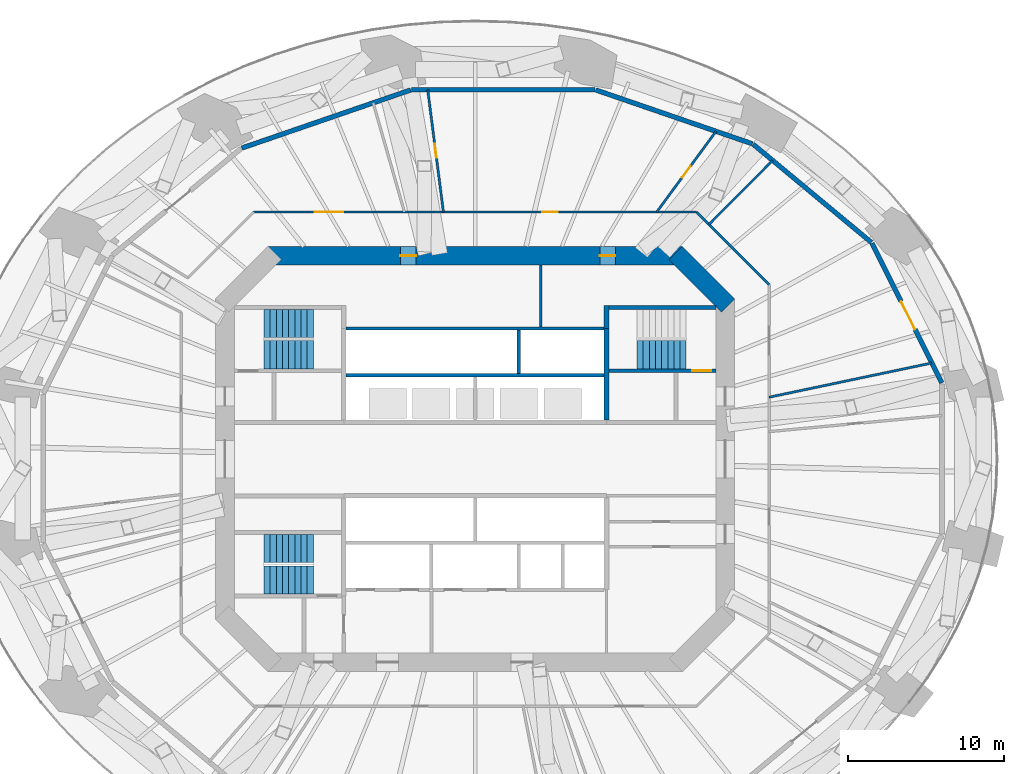
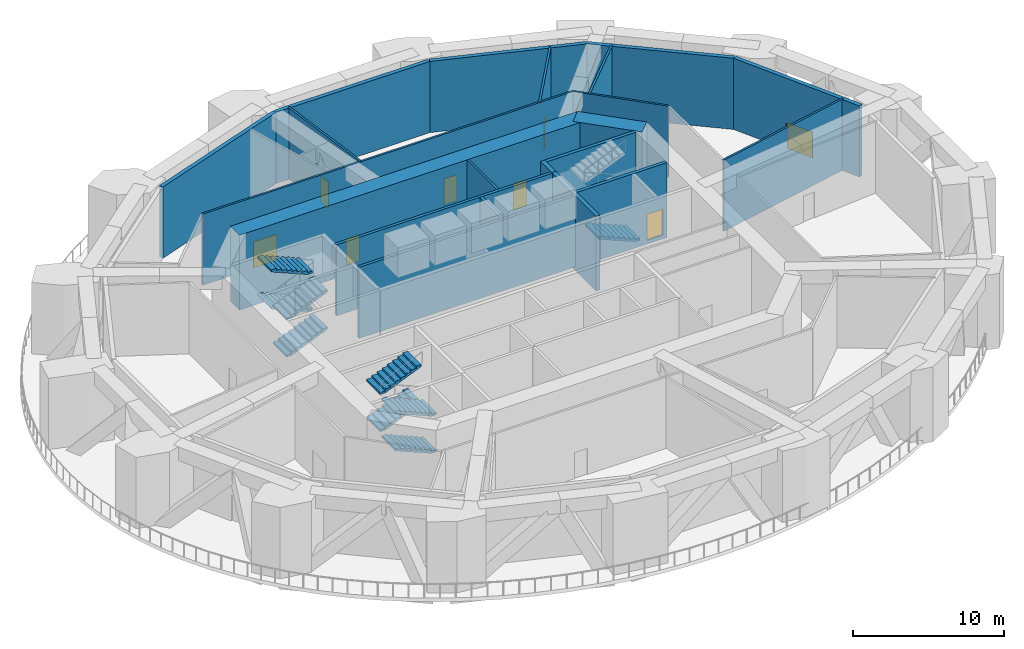
# One storey, part 7 of 12: 21 walls, 9 stair flights, 8 doors, 8 openings, 3 elements without a shape of their own.
"""IFC4 building model written with IfcOpenShell, lengths in metres."""

import ifcopenshell
import ifcopenshell.guid

model = None  # the IFC model being written
_history = None  # IfcOwnerHistory: only IFC2X3 demands one
_inside = {}  # id of a spatial element -> (the spatial element, [elements in it])
_under = {}  # id of a project, library or spatial element -> (it, [spatial elements below it])
_declared = {}  # id of a project -> (the project, [libraries it declares])
_typed = {}  # id of a type object -> (the type object, [elements of that type])
_made_of = {}  # id of a material, layer set ... -> (it, [elements and type objects made of it])


def new_model(schema):
    """Start an empty IFC model of exactly this schema.

    Asked for "IFC4X3", IfcOpenShell would pick the latest addendum, in which some entities
    have other attributes; the version numbers below select the first issue.
    IFC2X3 requires an IfcOwnerHistory on every rooted entity: one is made here for all.
    """
    global model, _history
    if schema == "IFC4X3":
        model = ifcopenshell.file(schema_version=(4, 3, 0, 0))
    else:
        model = ifcopenshell.file(schema=schema)
    _inside.clear()
    _under.clear()
    _declared.clear()
    _typed.clear()
    _made_of.clear()
    _history = None
    if model.schema == "IFC2X3":
        org = make("IfcOrganization", Name="unknown")
        user = make(
            "IfcPersonAndOrganization",
            ThePerson=make("IfcPerson", FamilyName="unknown"),
            TheOrganization=org,
        )
        app = make(
            "IfcApplication",
            ApplicationDeveloper=org,
            Version="unknown",
            ApplicationFullName="unknown",
            ApplicationIdentifier="unknown",
        )
        _history = make(
            "IfcOwnerHistory",
            OwningUser=user,
            OwningApplication=app,
            ChangeAction="ADDED",
            CreationDate=0,
        )
    return model


def make(cls, **values):
    """One entity of the class cls with the attributes given. An attribute that is None is left unset."""
    return model.create_entity(
        cls, **{name: value for name, value in values.items() if value is not None}
    )


def rooted(cls, **values):
    """An entity with a GlobalId (a new one), such as an element, a storey or a relation."""
    return make(cls, GlobalId=ifcopenshell.guid.new(), OwnerHistory=_history, **values)


def si_unit(unit_type, name, prefix=None):
    """IfcSIUnit, for example si_unit("LENGTHUNIT", "METRE", prefix="MILLI")."""
    return make("IfcSIUnit", UnitType=unit_type, Prefix=prefix, Name=name)


def assignment(units):
    """IfcUnitAssignment: the units of a project."""
    return None if units is None else make("IfcUnitAssignment", Units=units)


def point(xyz):
    """IfcCartesianPoint."""
    return None if xyz is None else make("IfcCartesianPoint", Coordinates=xyz)


def direction(xyz):
    """IfcDirection."""
    return None if xyz is None else make("IfcDirection", DirectionRatios=xyz)


def frame(location, z_axis=None, x_axis=None):
    """IfcAxis2Placement3D, a coordinate frame: its origin and axes. An axis left out is left unset."""
    return make(
        "IfcAxis2Placement3D",
        Location=point(location),
        Axis=direction(z_axis),
        RefDirection=direction(x_axis),
    )


def frame_2d(location, x_axis=None):
    """IfcAxis2Placement2D, a coordinate frame in the plane: its origin and x axis."""
    return make(
        "IfcAxis2Placement2D", Location=point(location), RefDirection=direction(x_axis)
    )


def origin():
    """The frame at (0, 0, 0) with its axes left unset."""
    return frame((0.0, 0.0, 0.0))


def place(relative_to, where):
    """IfcLocalPlacement: puts the frame where relative to a parent placement (None: the world)."""
    return make(
        "IfcLocalPlacement", PlacementRelTo=relative_to, RelativePlacement=where
    )


def context(
    kind, dimensions, precision=None, world=None, true_north=None, identifier=None
):
    """IfcGeometricRepresentationContext, for example the 3D "Model" context."""
    return make(
        "IfcGeometricRepresentationContext",
        ContextIdentifier=identifier,
        ContextType=kind,
        CoordinateSpaceDimension=dimensions,
        Precision=precision,
        WorldCoordinateSystem=world,
        TrueNorth=true_north,
    )


def subcontext(parent, identifier, kind, view, scale=None):
    """IfcGeometricRepresentationSubContext, for example "Body" below "Model"."""
    return make(
        "IfcGeometricRepresentationSubContext",
        ContextIdentifier=identifier,
        ContextType=kind,
        ParentContext=parent,
        TargetScale=scale,
        TargetView=view,
    )


def project(units=None, contexts=None):
    """IfcProject with its units and contexts."""
    return rooted(
        "IfcProject",
        Name="project",
        RepresentationContexts=contexts,
        UnitsInContext=assignment(units),
    )


def spatial(cls, under=None, at=None, **own):
    """A site, building, storey or space (cls), placed at a placement, below another one or the project."""
    s = rooted(cls, ObjectPlacement=at, **own)
    if under is not None:
        _under.setdefault(under.id(), (under, []))[1].append(s)
    return s


def polyline(points):
    """IfcPolyline through the points."""
    return make("IfcPolyline", Points=[point(p) for p in points])


def profile(cls, at=None, kind="AREA", **sizes):
    """A parametric profile (cls). Its sizes go by their IFC names, for example OverallWidth=200.0."""
    return make(cls, ProfileType=kind, Position=at, **sizes)


def rectangle(**sizes):
    """IfcRectangleProfileDef."""
    return profile("IfcRectangleProfileDef", **sizes)


def outline(outer, holes=None, kind="AREA"):
    """IfcArbitraryClosedProfileDef: a profile drawn as a closed curve; with holes, ...WithVoids."""
    if holes is None:
        return make("IfcArbitraryClosedProfileDef", ProfileType=kind, OuterCurve=outer)
    return make(
        "IfcArbitraryProfileDefWithVoids",
        ProfileType=kind,
        OuterCurve=outer,
        InnerCurves=holes,
    )


def extrude(swept, where, along, depth):
    """IfcExtrudedAreaSolid: the profile swept, set in the frame where, extruded along a direction by depth."""
    return make(
        "IfcExtrudedAreaSolid",
        SweptArea=swept,
        Position=where,
        ExtrudedDirection=direction(along),
        Depth=depth,
    )


def shape(context_of_items, identifier, shape_type, items):
    """IfcShapeRepresentation: the items that make up one representation, for example the "Body"."""
    return make(
        "IfcShapeRepresentation",
        ContextOfItems=context_of_items,
        RepresentationIdentifier=identifier,
        RepresentationType=shape_type,
        Items=items,
    )


def material(Name=None, Category=None):
    """IfcMaterial."""
    return make("IfcMaterial", Name=Name, Category=Category)


def layer(
    of_material, thickness, ventilated=None, Name=None, Category=None, Priority=None
):
    """IfcMaterialLayer: one layer of a wall or slab, of a material (None: an air gap)."""
    return make(
        "IfcMaterialLayer",
        Material=of_material,
        LayerThickness=thickness,
        IsVentilated=ventilated,
        Name=Name,
        Category=Category,
        Priority=Priority,
    )


def layer_set(layers, Name=None):
    """IfcMaterialLayerSet."""
    return make("IfcMaterialLayerSet", MaterialLayers=layers, LayerSetName=Name)


def made_of(thing, what):
    """Note that an element or type object is made of a material, layer set ...; save() writes the relation."""
    if what is not None:
        _made_of.setdefault(what.id(), (what, []))[1].append(thing)
    return thing


def type_object(cls, material=None, **own):
    """A type object (cls), such as IfcWallType, which elements share."""
    return made_of(rooted(cls, **own), material)


def element(
    cls,
    number,
    at=None,
    inside=None,
    cuts=None,
    type_object=None,
    material=None,
    context=None,
    identifier="Body",
    shape_type=None,
    held_by="IfcProductDefinitionShape",
    body=None,
    shapes=None,
    **own,
):
    """One element of the class cls, such as IfcWall. Its Tag is "e" and its number.

    at: its placement. inside: the storey or other place that contains it. cuts: it is an
    opening in that element (IfcRelVoidsElement). A single representation is given by context,
    identifier, shape_type and body (its items); several are given by shapes. held_by: the class
    of the entity that holds the representations. save() writes the other relations.
    """
    e = rooted(cls, Tag="e%d" % number, ObjectPlacement=at, **own)
    if body is not None:
        shapes = [shape(context, identifier, shape_type, body)]
    if shapes is not None:
        e.Representation = make(held_by, Representations=shapes)
    if inside is not None:
        _inside.setdefault(inside.id(), (inside, []))[1].append(e)
    if cuts is not None:
        rooted(
            "IfcRelVoidsElement", RelatingBuildingElement=cuts, RelatedOpeningElement=e
        )
    if type_object is not None:
        _typed.setdefault(type_object.id(), (type_object, []))[1].append(e)
    return made_of(e, material)


def fill(opening, filler):
    """IfcRelFillsElement: the door or window that sits in an opening."""
    return rooted(
        "IfcRelFillsElement",
        RelatingOpeningElement=opening,
        RelatedBuildingElement=filler,
    )


def aggregate(whole, parts):
    """IfcRelAggregates: a whole, such as a stair, and the parts it consists of."""
    return rooted("IfcRelAggregates", RelatingObject=whole, RelatedObjects=parts)


def save(model, path):
    """Write the relations noted so far, then the file.

    IfcRelAggregates (storeys below a building ...), IfcRelContainedInSpatialStructure (elements
    in a storey), IfcRelDefinesByType, IfcRelAssociatesMaterial and IfcRelDeclares: one each for
    every whole, place, type object, material and project.
    """
    for whole, parts in _under.values():
        aggregate(whole, parts)
    for where, things in _inside.values():
        rooted(
            "IfcRelContainedInSpatialStructure",
            RelatedElements=things,
            RelatingStructure=where,
        )
    for kind, things in _typed.values():
        rooted("IfcRelDefinesByType", RelatedObjects=things, RelatingType=kind)
    for what, things in _made_of.values():
        rooted("IfcRelAssociatesMaterial", RelatedObjects=things, RelatingMaterial=what)
    for by, libraries in _declared.values():
        rooted("IfcRelDeclares", RelatingContext=by, RelatedDefinitions=libraries)
    model.write(path)


model = new_model("IFC4")

# Units and contexts
model_context = context("Model", 3, precision=1e-05, world=origin(), true_north=direction((0.0, 1.0)))
body_context = subcontext(model_context, "Body", "Model", "MODEL_VIEW")
ifc_project = project(units=[si_unit("LENGTHUNIT", "METRE"), si_unit("AREAUNIT", "SQUARE_METRE"), si_unit("VOLUMEUNIT", "CUBIC_METRE"), si_unit("PLANEANGLEUNIT", "RADIAN"), si_unit("MASSUNIT", "GRAM", prefix="KILO")], contexts=[model_context])

# Site, building, storey
site_placement = place(None, origin())
site = spatial("IfcSite", under=ifc_project, at=site_placement, CompositionType="ELEMENT")
building_placement = place(site_placement, origin())
building = spatial("IfcBuilding", under=site, at=building_placement, Name="Marenthal Gate Tower", CompositionType="ELEMENT")
storey_placement = place(building_placement, frame((0.0, 0.0, 149.64990234375)))
storey = spatial("IfcBuildingStorey", under=building, at=storey_placement, Name="L32", CompositionType="ELEMENT", Elevation=149.64990234375)

# Wall
ifc_material_1 = material(Name="Concrete 60 MPa", Category="concrete")
ifc_layer_1 = layer(ifc_material_1, 1.199951171875)
ifc_layer_set_1 = layer_set([ifc_layer_1], Name="Core shear wall 1200")
wall_type_1 = type_object("IfcWallType", Name="Core shear wall 1200", PredefinedType="SHEAR", material=ifc_layer_set_1)
wall_1_placement = place(storey_placement, frame((16.17578125, 9.82421875, -0.2998046875), z_axis=(0.0, 0.0, 1.0), x_axis=(-0.707106781187, 0.707106781187, 0.0)))
element("IfcWall", 1, at=wall_1_placement, inside=storey, type_object=wall_type_1, Name="Core wall 03", PredefinedType="SHEAR", context=body_context, shape_type="SweptSolid", body=[
    extrude(rectangle(XDim=4.73974609375, YDim=1.199951171875, at=frame_2d((2.369873046875, 0.0))), origin(), (0.0, 0.0, 1.0), 6.0498046875),
])

# Wall, openings, doors
wall_2_placement = place(storey_placement, frame((13.24853515625, 13.0, -0.2998046875), z_axis=(0.0, 0.0, 1.0), x_axis=(-1.0, 0.0, 0.0)))
wall_2 = element("IfcWall", 2, at=wall_2_placement, inside=storey, type_object=wall_type_1, Name="Core wall 04", PredefinedType="SHEAR", context=body_context, shape_type="SweptSolid", body=[
    extrude(rectangle(XDim=26.4970703125, YDim=1.199951171875, at=frame_2d((13.24853515625, 0.0))), origin(), (0.0, 0.0, 1.0), 6.0498046875),
])
opening_1_placement = place(wall_2_placement, frame((17.0244140625, 0.0, 0.300048828125)))
opening_1 = element("IfcOpeningElement", 3, at=opening_1_placement, cuts=wall_2, Name="Opening D005.01", PredefinedType="OPENING", context=body_context, shape_type="SweptSolid", body=[
    extrude(rectangle(XDim=1.0, YDim=2.10009765625, at=frame_2d((0.5, 1.050048828125))), frame((0.0, 0.60986328125, 0.0), z_axis=(0.0, -1.0, 0.0), x_axis=(1.0, 0.0, 0.0)), (0.0, 0.0, 1.0), 1.219970703125),
])
opening_2_placement = place(wall_2_placement, frame((4.2724609375, 0.0, 0.300048828125)))
opening_2 = element("IfcOpeningElement", 4, at=opening_2_placement, cuts=wall_2, Name="Opening D005.02", PredefinedType="OPENING", context=body_context, shape_type="SweptSolid", body=[
    extrude(rectangle(XDim=1.0, YDim=2.10009765625, at=frame_2d((0.5, 1.050048828125))), frame((0.0, 0.60986328125, 0.0), z_axis=(0.0, -1.0, 0.0), x_axis=(1.0, 0.0, 0.0)), (0.0, 0.0, 1.0), 1.219970703125),
])
ifc_material_2 = material(Name="Steel fire door", Category="steel")
door_type_1 = type_object("IfcDoorType", Name="Fire door FD 45 1000 x 2100", OperationType="NOTDEFINED", PredefinedType="DOOR", material=ifc_material_2)
door_1_placement = place(opening_1_placement, origin())
door_1 = element("IfcDoor", 5, at=door_1_placement, inside=storey, type_object=door_type_1, Name="Door D005.01", OperationType="SINGLE_SWING_RIGHT", OverallHeight=2.10009765625, OverallWidth=1.0, PredefinedType="DOOR", context=body_context, shape_type="SweptSolid", body=[
    extrude(rectangle(XDim=1.0, YDim=2.10009765625, at=frame_2d((0.5, 1.050048828125))), frame((0.0, 0.02490234375, 0.0), z_axis=(0.0, -1.0, 0.0), x_axis=(1.0, 0.0, 0.0)), (0.0, 0.0, 1.0), 0.050048828125),
])
fill(opening_1, door_1)
door_2_placement = place(opening_2_placement, origin())
door_2 = element("IfcDoor", 6, at=door_2_placement, inside=storey, type_object=door_type_1, Name="Door D005.02", OperationType="SINGLE_SWING_RIGHT", OverallHeight=2.10009765625, OverallWidth=1.0, PredefinedType="DOOR", context=body_context, shape_type="SweptSolid", body=[
    extrude(rectangle(XDim=1.0, YDim=2.10009765625, at=frame_2d((0.5, 1.050048828125))), frame((0.0, 0.02490234375, 0.0), z_axis=(0.0, -1.0, 0.0), x_axis=(1.0, 0.0, 0.0)), (0.0, 0.0, 1.0), 0.050048828125),
])
fill(opening_2, door_2)

# Walls
ifc_material_3 = material(Name="Concrete 40 MPa", Category="concrete")
ifc_layer_2 = layer(ifc_material_3, 0.300048828125)
ifc_layer_set_2 = layer_set([ifc_layer_2], Name="External wall 300")
wall_type_2 = type_object("IfcWallType", Name="External wall 300", PredefinedType="STANDARD", material=ifc_layer_set_2)
wall_3_placement = place(storey_placement, frame((-4.0673828125, 23.6123046875, 0.0), z_axis=(0.0, 0.0, 1.0), x_axis=(1.0, 0.0, 0.0)))
element("IfcWall", 7, at=wall_3_placement, inside=storey, type_object=wall_type_2, Name="External wall 48", PredefinedType="STANDARD", context=body_context, shape_type="SweptSolid", body=[
    extrude(rectangle(XDim=11.73486328125, YDim=0.300048828125, at=frame_2d((5.867431640625, 0.0))), origin(), (0.0, 0.0, 1.0), 5.75),
])
wall_4_placement = place(storey_placement, frame((-14.92626953125, 19.885009765625, 0.0), z_axis=(0.0, 0.0, 1.0), x_axis=(0.945604912738, 0.325317305112, 0.0)))
element("IfcWall", 8, at=wall_4_placement, inside=storey, type_object=wall_type_2, Name="External wall 50", PredefinedType="STANDARD", context=body_context, shape_type="SweptSolid", body=[
    extrude(rectangle(XDim=11.431884765625, YDim=0.300048828125, at=frame_2d((5.7158203125, 0.0))), origin(), (0.0, 0.0, 1.0), 5.75),
])

# Wall, opening, door
wall_5_placement = place(storey_placement, frame((29.8359375, 4.871337890625, 0.0), z_axis=(0.0, 0.0, 1.0), x_axis=(-0.446342376017, 0.894862270615, 0.0)))
wall_5 = element("IfcWall", 9, at=wall_5_placement, inside=storey, type_object=wall_type_2, Name="External wall 57", PredefinedType="STANDARD", context=body_context, shape_type="SweptSolid", body=[
    extrude(rectangle(XDim=9.978515625, YDim=0.300048828125, at=frame_2d((4.9892578125, 0.0))), origin(), (0.0, 0.0, 1.0), 5.75),
])
opening_3_placement = place(wall_5_placement, frame((3.815673828125, 0.0, 0.0)))
opening_3 = element("IfcOpeningElement", 10, at=opening_3_placement, cuts=wall_5, Name="Opening D018.01", PredefinedType="OPENING", context=body_context, shape_type="SweptSolid", body=[
    extrude(rectangle(XDim=2.0, YDim=2.10009765625, at=frame_2d((1.0, 1.050048828125))), frame((0.0, 0.16015625, 0.0), z_axis=(0.0, -1.0, 0.0), x_axis=(1.0, 0.0, 0.0)), (0.0, 0.0, 1.0), 0.320068359375),
])
ifc_material_4 = material(Name="Steel fire door", Category="steel")
door_type_2 = type_object("IfcDoorType", Name="Double fire door FD 45 2000 x 2100", OperationType="DOUBLE_DOOR_SINGLE_SWING", PredefinedType="DOOR", material=ifc_material_4)
door_3_placement = place(opening_3_placement, frame((2.0, 0.0, 0.0), z_axis=(0.0, 0.0, 1.0), x_axis=(-1.0, 0.0, 0.0)))
door_3 = element("IfcDoor", 11, at=door_3_placement, inside=storey, type_object=door_type_2, Name="Door D018.01", OperationType="DOUBLE_DOOR_SINGLE_SWING", OverallHeight=2.10009765625, OverallWidth=2.0, PredefinedType="DOOR", context=body_context, shape_type="SweptSolid", body=[
    extrude(rectangle(XDim=2.0, YDim=2.10009765625, at=frame_2d((1.0, 1.050048828125))), frame((0.0, 0.02490234375, 0.0), z_axis=(0.0, -1.0, 0.0), x_axis=(1.0, 0.0, 0.0)), (0.0, 0.0, 1.0), 0.050048828125),
])
fill(opening_3, door_3)

# Walls
wall_6_placement = place(storey_placement, frame((25.34375, 13.849365234375, 0.0), z_axis=(0.0, 0.0, 1.0), x_axis=(-0.769318948353, 0.638864896285, 0.0)))
element("IfcWall", 12, at=wall_6_placement, inside=storey, type_object=wall_type_2, Name="External wall 59", PredefinedType="STANDARD", context=body_context, shape_type="SweptSolid", body=[
    extrude(rectangle(XDim=9.83447265625, YDim=0.300048828125, at=frame_2d((4.917236328125, 0.0))), origin(), (0.0, 0.0, 1.0), 5.75),
])
wall_7_placement = place(storey_placement, frame((17.730712890625, 20.15869140625, 0.0), z_axis=(0.0, 0.0, 1.0), x_axis=(-0.9456035179, 0.325321359482, 0.0)))
element("IfcWall", 13, at=wall_7_placement, inside=storey, type_object=wall_type_2, Name="External wall 61", PredefinedType="STANDARD", context=body_context, shape_type="SweptSolid", body=[
    extrude(rectangle(XDim=10.590576171875, YDim=0.300048828125, at=frame_2d((5.29541015625, 0.0))), origin(), (0.0, 0.0, 1.0), 5.75),
])
ifc_material_5 = material(Name="Concrete 50 MPa", Category="concrete")
ifc_layer_3 = layer(ifc_material_5, 0.300048828125)
ifc_layer_set_3 = layer_set([ifc_layer_3], Name="Hoistway shear wall 300")
wall_type_3 = type_object("IfcWallType", Name="Hoistway shear wall 300", PredefinedType="SHEAR", material=ifc_layer_set_3)
wall_8_placement = place(storey_placement, frame((8.39990234375, 2.5, -0.2998046875), z_axis=(0.0, 0.0, 1.0), x_axis=(0.0, 1.0, 0.0)))
element("IfcWall", 14, at=wall_8_placement, inside=storey, type_object=wall_type_3, Name="Hoistway wall 44", PredefinedType="SHEAR", context=body_context, shape_type="SweptSolid", body=[
    extrude(rectangle(XDim=5.85009765625, YDim=0.300048828125, at=frame_2d((2.925048828125, 0.0))), origin(), (0.0, 0.0, 1.0), 6.0498046875),
])
ifc_material_6 = material(Name="Concrete 40 MPa", Category="concrete")
ifc_layer_4 = layer(ifc_material_6, 0.219970703125)
ifc_layer_set_4 = layer_set([ifc_layer_4], Name="Hoistway wall 220")
wall_type_4 = type_object("IfcWallType", Name="Hoistway wall 220", PredefinedType="STANDARD", material=ifc_layer_set_4)
for number, where, z_axis, x_axis, name in (
    (15, (-8.25, 5.35009765625, 0.0), (0.0, 0.0, 1.0), (1.0, 0.0, 0.0), "Hoistway wall 22"),
    (16, (-8.25, 8.35009765625, 0.0), (0.0, 0.0, 1.0), (1.0, 0.0, 0.0), "Hoistway wall 25"),
):
    element("IfcWall", number, at=place(storey_placement, frame(where, z_axis=z_axis, x_axis=x_axis)), inside=storey, type_object=wall_type_4, Name=name, PredefinedType="STANDARD", context=body_context, shape_type="SweptSolid", body=[
        extrude(rectangle(XDim=16.5, YDim=0.219970703125, at=frame_2d((8.25, 0.0))), origin(), (0.0, 0.0, 1.0), 5.75),
    ])
wall_9_placement = place(storey_placement, frame((2.800048828125, 5.4599609375, 0.0), z_axis=(0.0, 0.0, 1.0), x_axis=(0.0, 1.0, 0.0)))
element("IfcWall", 17, at=wall_9_placement, inside=storey, type_object=wall_type_4, Name="Hoistway wall 39", PredefinedType="STANDARD", context=body_context, shape_type="SweptSolid", body=[
    extrude(rectangle(XDim=2.780029296875, YDim=0.219970703125, at=frame_2d((1.39013671875, 0.0))), origin(), (0.0, 0.0, 1.0), 5.75),
])
ifc_material_7 = material(Name="Gypsum board on steel studs", Category="steel")
ifc_layer_5 = layer(ifc_material_7, 0.14990234375)
ifc_layer_set_5 = layer_set([ifc_layer_5], Name="Partition 150")
wall_type_5 = type_object("IfcWallType", Name="Partition 150", PredefinedType="PARTITIONING", material=ifc_layer_set_5)
wall_10_placement = place(storey_placement, frame((4.199951171875, 8.4599609375, 0.0), z_axis=(0.0, 0.0, 1.0), x_axis=(0.0, 1.0, 0.0)))
element("IfcWall", 18, at=wall_10_placement, inside=storey, type_object=wall_type_5, Name="Partition wall 40", PredefinedType="PARTITIONING", context=body_context, shape_type="SweptSolid", body=[
    extrude(rectangle(XDim=3.93994140625, YDim=0.14990234375, at=frame_2d((1.969970703125, 0.0))), origin(), (0.0, 0.0, 1.0), 5.75),
])

# Wall, openings, doors
wall_11_placement = place(storey_placement, frame((-14.159912109375, 15.800048828125, 0.0), z_axis=(0.0, 0.0, 1.0), x_axis=(1.0, 0.0, 0.0)))
wall_11 = element("IfcWall", 19, at=wall_11_placement, inside=storey, type_object=wall_type_5, Name="Partition wall 66", PredefinedType="PARTITIONING", context=body_context, shape_type="SweptSolid", body=[
    extrude(rectangle(XDim=28.31982421875, YDim=0.14990234375, at=frame_2d((14.159912109375, 0.0))), origin(), (0.0, 0.0, 1.0), 5.75),
])
opening_4_placement = place(wall_11_placement, frame((18.452880859375, 0.0, 0.0)))
opening_4 = element("IfcOpeningElement", 20, at=opening_4_placement, cuts=wall_11, Name="Opening D005.05", PredefinedType="OPENING", context=body_context, shape_type="SweptSolid", body=[
    extrude(rectangle(XDim=1.0, YDim=2.10009765625, at=frame_2d((0.5, 1.050048828125))), frame((0.0, 0.0849609375, 0.0), z_axis=(0.0, -1.0, 0.0), x_axis=(1.0, 0.0, 0.0)), (0.0, 0.0, 1.0), 0.169921875),
])
opening_5_placement = place(wall_11_placement, frame((3.919189453125, 0.0, 0.0)))
opening_5 = element("IfcOpeningElement", 21, at=opening_5_placement, cuts=wall_11, Name="Opening D007.02", PredefinedType="OPENING", context=body_context, shape_type="SweptSolid", body=[
    extrude(rectangle(XDim=1.800048828125, YDim=2.10009765625, at=frame_2d((0.89990234375, 1.050048828125))), frame((0.0, 0.0849609375, 0.0), z_axis=(0.0, -1.0, 0.0), x_axis=(1.0, 0.0, 0.0)), (0.0, 0.0, 1.0), 0.169921875),
])
ifc_material_8 = material(Name="Steel fire door", Category="steel")
door_type_3 = type_object("IfcDoorType", Name="Double fire door FD 45 1800 x 2100", OperationType="DOUBLE_DOOR_SINGLE_SWING", PredefinedType="DOOR", material=ifc_material_8)
door_4_placement = place(opening_5_placement, origin())
door_4 = element("IfcDoor", 22, at=door_4_placement, inside=storey, type_object=door_type_3, Name="Door D007.02", OperationType="DOUBLE_DOOR_SINGLE_SWING", OverallHeight=2.10009765625, OverallWidth=1.800048828125, PredefinedType="DOOR", context=body_context, shape_type="SweptSolid", body=[
    extrude(rectangle(XDim=1.800048828125, YDim=2.10009765625, at=frame_2d((0.89990234375, 1.050048828125))), frame((0.0, 0.02490234375, 0.0), z_axis=(0.0, -1.0, 0.0), x_axis=(1.0, 0.0, 0.0)), (0.0, 0.0, 1.0), 0.050048828125),
])
fill(opening_5, door_4)
door_5_placement = place(opening_4_placement, origin())
door_5 = element("IfcDoor", 23, at=door_5_placement, inside=storey, type_object=door_type_1, Name="Door D005.05", OperationType="SINGLE_SWING_RIGHT", OverallHeight=2.10009765625, OverallWidth=1.0, PredefinedType="DOOR", context=body_context, shape_type="SweptSolid", body=[
    extrude(rectangle(XDim=1.0, YDim=2.10009765625, at=frame_2d((0.5, 1.050048828125))), frame((0.0, 0.02490234375, 0.0), z_axis=(0.0, -1.0, 0.0), x_axis=(1.0, 0.0, 0.0)), (0.0, 0.0, 1.0), 0.050048828125),
])
fill(opening_4, door_5)

# Walls
wall_12_placement = place(storey_placement, frame((18.800048828125, 3.954833984375, 0.0), z_axis=(0.0, 0.0, 1.0), x_axis=(0.978579749643, 0.205868097548, 0.0)))
element("IfcWall", 24, at=wall_12_placement, inside=storey, type_object=wall_type_5, Name="Partition wall 69", PredefinedType="PARTITIONING", context=body_context, shape_type="SweptSolid", body=[
    extrude(rectangle(XDim=10.62939453125, YDim=0.14990234375, at=frame_2d((5.314697265625, 0.0))), origin(), (0.0, 0.0, 1.0), 5.75),
])
wall_13_placement = place(storey_placement, frame((14.953125, 15.006591796875, 0.0), z_axis=(0.0, 0.0, 1.0), x_axis=(0.705857834142, 0.70835352613, 0.0)))
element("IfcWall", 25, at=wall_13_placement, inside=storey, type_object=wall_type_5, Name="Partition wall 72", PredefinedType="PARTITIONING", context=body_context, shape_type="SweptSolid", body=[
    extrude(rectangle(XDim=5.771728515625, YDim=0.14990234375, at=frame_2d((2.8857421875, 0.0))), origin(), (0.0, 0.0, 1.0), 5.75),
])

# Wall, opening, door
wall_14_placement = place(storey_placement, frame((11.614501953125, 15.800048828125, 0.0), z_axis=(0.0, 0.0, 1.0), x_axis=(0.592290711969, 0.805724340277, 0.0)))
wall_14 = element("IfcWall", 26, at=wall_14_placement, inside=storey, type_object=wall_type_5, Name="Partition wall 75", PredefinedType="PARTITIONING", context=body_context, shape_type="SweptSolid", body=[
    extrude(rectangle(XDim=6.40234375, YDim=0.14990234375, at=frame_2d((3.201171875, 0.0))), origin(), (0.0, 0.0, 1.0), 5.75),
])
opening_6_placement = place(wall_14_placement, frame((2.751220703125, 0.0, 0.0)))
opening_6 = element("IfcOpeningElement", 27, at=opening_6_placement, cuts=wall_14, Name="Opening D010.02", PredefinedType="OPENING", context=body_context, shape_type="SweptSolid", body=[
    extrude(rectangle(XDim=0.89990234375, YDim=2.10009765625, at=frame_2d((0.449951171875, 1.050048828125))), frame((0.0, 0.0849609375, 0.0), z_axis=(0.0, -1.0, 0.0), x_axis=(1.0, 0.0, 0.0)), (0.0, 0.0, 1.0), 0.169921875),
])
ifc_material_9 = material(Name="Steel fire door", Category="steel")
door_type_4 = type_object("IfcDoorType", Name="Fire door FD 45 900 x 2100", OperationType="NOTDEFINED", PredefinedType="DOOR", material=ifc_material_9)
door_6_placement = place(opening_6_placement, frame((0.89990234375, 0.0, 0.0), z_axis=(0.0, 0.0, 1.0), x_axis=(-1.0, 0.0, 0.0)))
door_6 = element("IfcDoor", 28, at=door_6_placement, inside=storey, type_object=door_type_4, Name="Door D010.02", OperationType="SINGLE_SWING_LEFT", OverallHeight=2.10009765625, OverallWidth=0.89990234375, PredefinedType="DOOR", context=body_context, shape_type="SweptSolid", body=[
    extrude(rectangle(XDim=0.89990234375, YDim=2.10009765625, at=frame_2d((0.449951171875, 1.050048828125))), frame((0.0, 0.02490234375, 0.0), z_axis=(0.0, -1.0, 0.0), x_axis=(1.0, 0.0, 0.0)), (0.0, 0.0, 1.0), 0.050048828125),
])
fill(opening_6, door_6)

wall_15_placement = place(storey_placement, frame((-2.0283203125, 15.800048828125, 0.0), z_axis=(0.0, 0.0, 1.0), x_axis=(-0.12733399339, 0.991859896421, 0.0)))
wall_15 = element("IfcWall", 29, at=wall_15_placement, inside=storey, type_object=wall_type_5, Name="Partition wall 79", PredefinedType="PARTITIONING", context=body_context, shape_type="SweptSolid", body=[
    extrude(rectangle(XDim=7.87646484375, YDim=0.14990234375, at=frame_2d((3.938232421875, 0.0))), origin(), (0.0, 0.0, 1.0), 5.75),
])
opening_7_placement = place(wall_15_placement, frame((3.48828125, 0.0, 0.0)))
opening_7 = element("IfcOpeningElement", 30, at=opening_7_placement, cuts=wall_15, Name="Opening D010.03", PredefinedType="OPENING", context=body_context, shape_type="SweptSolid", body=[
    extrude(rectangle(XDim=0.89990234375, YDim=2.10009765625, at=frame_2d((0.449951171875, 1.050048828125))), frame((0.0, 0.0849609375, 0.0), z_axis=(0.0, -1.0, 0.0), x_axis=(1.0, 0.0, 0.0)), (0.0, 0.0, 1.0), 0.169921875),
])
door_7_placement = place(opening_7_placement, origin())
door_7 = element("IfcDoor", 31, at=door_7_placement, inside=storey, type_object=door_type_4, Name="Door D010.03", OperationType="SINGLE_SWING_RIGHT", OverallHeight=2.10009765625, OverallWidth=0.89990234375, PredefinedType="DOOR", context=body_context, shape_type="SweptSolid", body=[
    extrude(rectangle(XDim=0.89990234375, YDim=2.10009765625, at=frame_2d((0.449951171875, 1.050048828125))), frame((0.0, 0.02490234375, 0.0), z_axis=(0.0, -1.0, 0.0), x_axis=(1.0, 0.0, 0.0)), (0.0, 0.0, 1.0), 0.050048828125),
])
fill(opening_7, door_7)

# Wall
wall_16_placement = place(storey_placement, frame((18.800048828125, 11.159912109375, 0.0), z_axis=(0.0, 0.0, 1.0), x_axis=(-0.707106781187, 0.707106781187, 0.0)))
element("IfcWall", 32, at=wall_16_placement, inside=storey, type_object=wall_type_5, Name="Partition wall 83", PredefinedType="PARTITIONING", context=body_context, shape_type="SweptSolid", body=[
    extrude(rectangle(XDim=6.562255859375, YDim=0.14990234375, at=frame_2d((3.28125, 0.0))), origin(), (0.0, 0.0, 1.0), 5.75),
])

# Wall, opening, door
ifc_material_10 = material(Name="Concrete 50 MPa", Category="concrete")
ifc_layer_6 = layer(ifc_material_10, 0.25)
ifc_layer_set_6 = layer_set([ifc_layer_6], Name="Stair shear wall 250")
wall_type_6 = type_object("IfcWallType", Name="Stair shear wall 250", PredefinedType="SHEAR", material=ifc_layer_set_6)
wall_17_placement = place(storey_placement, frame((8.550048828125, 5.64990234375, -0.2998046875), z_axis=(0.0, 0.0, 1.0), x_axis=(1.0, 0.0, 0.0)))
wall_17 = element("IfcWall", 33, at=wall_17_placement, inside=storey, type_object=wall_type_6, Name="Stair wall 24", PredefinedType="SHEAR", context=body_context, shape_type="SweptSolid", body=[
    extrude(rectangle(XDim=6.849853515625, YDim=0.25, at=frame_2d((3.4248046875, 0.0))), origin(), (0.0, 0.0, 1.0), 6.0498046875),
])
opening_8_placement = place(wall_17_placement, frame((5.35009765625, 0.0, 0.300048828125)))
opening_8 = element("IfcOpeningElement", 34, at=opening_8_placement, cuts=wall_17, Name="Opening D001.02", PredefinedType="OPENING", context=body_context, shape_type="SweptSolid", body=[
    extrude(rectangle(XDim=1.199951171875, YDim=2.10009765625, at=frame_2d((0.60009765625, 1.050048828125))), frame((0.0, 0.135009765625, 0.0), z_axis=(0.0, -1.0, 0.0), x_axis=(1.0, 0.0, 0.0)), (0.0, 0.0, 1.0), 0.27001953125),
])
ifc_material_11 = material(Name="Steel fire door", Category="steel")
door_type_5 = type_object("IfcDoorType", Name="Fire door FD 90 1200 x 2100", OperationType="NOTDEFINED", PredefinedType="DOOR", material=ifc_material_11)
door_8_placement = place(opening_8_placement, origin())
door_8 = element("IfcDoor", 35, at=door_8_placement, inside=storey, type_object=door_type_5, Name="Door D001.02", OperationType="SINGLE_SWING_RIGHT", OverallHeight=2.10009765625, OverallWidth=1.199951171875, PredefinedType="DOOR", context=body_context, shape_type="SweptSolid", body=[
    extrude(rectangle(XDim=1.199951171875, YDim=2.10009765625, at=frame_2d((0.60009765625, 1.050048828125))), frame((0.0, 0.02490234375, 0.0), z_axis=(0.0, -1.0, 0.0), x_axis=(1.0, 0.0, 0.0)), (0.0, 0.0, 1.0), 0.050048828125),
])
fill(opening_8, door_8)

# Walls
wall_18_placement = place(storey_placement, frame((8.550048828125, 9.699951171875, -0.2998046875), z_axis=(0.0, 0.0, 1.0), x_axis=(1.0, 0.0, 0.0)))
element("IfcWall", 36, at=wall_18_placement, inside=storey, type_object=wall_type_6, Name="Stair wall 27", PredefinedType="SHEAR", context=body_context, shape_type="SweptSolid", body=[
    extrude(rectangle(XDim=6.849853515625, YDim=0.25, at=frame_2d((3.4248046875, 0.0))), origin(), (0.0, 0.0, 1.0), 6.0498046875),
])
ifc_material_12 = material(Name="Concrete 50 MPa", Category="concrete")
ifc_layer_7 = layer(ifc_material_12, 0.300048828125)
ifc_layer_set_7 = layer_set([ifc_layer_7], Name="Stair shear wall 300")
wall_type_7 = type_object("IfcWallType", Name="Stair shear wall 300", PredefinedType="SHEAR", material=ifc_layer_set_7)
wall_19_placement = place(storey_placement, frame((8.39990234375, 8.35009765625, -0.2998046875), z_axis=(0.0, 0.0, 1.0), x_axis=(0.0, 1.0, 0.0)))
element("IfcWall", 37, at=wall_19_placement, inside=storey, type_object=wall_type_7, Name="Stair wall 45", PredefinedType="SHEAR", context=body_context, shape_type="SweptSolid", body=[
    extrude(rectangle(XDim=1.474853515625, YDim=0.300048828125, at=frame_2d((0.7373046875, 0.0))), origin(), (0.0, 0.0, 1.0), 6.0498046875),
])

# Stair, stair flights
ifc_material_13 = material(Name="Concrete 40 MPa", Category="concrete")
stair_type = type_object("IfcStairType", Name="Exit stair 1800", PredefinedType="HALF_TURN_STAIR", material=ifc_material_13)
stair_1_placement = place(storey_placement, origin())
stair_1 = element("IfcStair", 38, at=stair_1_placement, inside=storey, type_object=stair_type, Name="Stair ST1", PredefinedType="HALF_TURN_STAIR")
ifc_material_14 = material(Name="Concrete 40 MPa", Category="concrete")
stair_flight_type = type_object("IfcStairFlightType", Name="Stair flight 1800", PredefinedType="STRAIGHT", material=ifc_material_14)
stair_flight_1_placement = place(storey_placement, frame((-13.5, 6.675048828125, 0.0), z_axis=(0.0, 0.0, 1.0), x_axis=(1.0, 0.0, 0.0)))
stair_flight_1 = element("IfcStairFlight", 39, at=stair_flight_1_placement, type_object=stair_flight_type, Name="ST1 flight 1", NumberOfRisers=9, NumberOfTreads=8, PredefinedType="STRAIGHT", RiserHeight=0.166666667, TreadLength=0.3937, context=body_context, shape_type="SweptSolid", body=[
    extrude(outline(polyline([(0.0, 0.0), (0.0, 0.166748046875), (0.393798828125, 0.166748046875), (0.393798828125, 0.333251953125), (0.787353515625, 0.333251953125), (0.787353515625, 0.5), (1.18115234375, 0.5), (1.18115234375, 0.666748046875), (1.57470703125, 0.666748046875), (1.57470703125, 0.833251953125), (1.968505859375, 0.833251953125), (1.968505859375, 1.0), (2.3623046875, 1.0), (2.3623046875, 1.166748046875), (2.755859375, 1.166748046875), (2.755859375, 1.333251953125), (3.149658203125, 1.333251953125), (3.149658203125, 1.5), (3.149658203125, 1.170654296875), (0.384521484375, 0.0), (0.0, 0.0)])), frame((0.0, 0.89990234375, 0.0), z_axis=(0.0, -1.0, 0.0), x_axis=(1.0, 0.0, 0.0)), (0.0, 0.0, 1.0), 1.800048828125),
])
stair_flight_2_placement = place(storey_placement, frame((-10.350341796875, 8.675048828125, 1.5), z_axis=(0.0, 0.0, 1.0), x_axis=(-1.0, 0.0, 0.0)))
stair_flight_2 = element("IfcStairFlight", 40, at=stair_flight_2_placement, type_object=stair_flight_type, Name="ST1 flight 2", NumberOfRisers=9, NumberOfTreads=8, PredefinedType="STRAIGHT", RiserHeight=0.166666667, TreadLength=0.3937, context=body_context, shape_type="SweptSolid", body=[
    extrude(outline(polyline([(0.0, 0.0), (0.0, 0.166748046875), (0.393798828125, 0.166748046875), (0.393798828125, 0.333251953125), (0.787353515625, 0.333251953125), (0.787353515625, 0.5), (1.18115234375, 0.5), (1.18115234375, 0.666748046875), (1.57470703125, 0.666748046875), (1.57470703125, 0.833251953125), (1.968505859375, 0.833251953125), (1.968505859375, 1.0), (2.3623046875, 1.0), (2.3623046875, 1.166748046875), (2.755859375, 1.166748046875), (2.755859375, 1.333251953125), (3.149658203125, 1.333251953125), (3.149658203125, 1.5), (3.149658203125, 1.170654296875), (0.384521484375, 0.0), (0.0, 0.0)])), frame((0.0, 0.89990234375, 0.0), z_axis=(0.0, -1.0, 0.0), x_axis=(1.0, 0.0, 0.0)), (0.0, 0.0, 1.0), 1.800048828125),
])
stair_flight_3_placement = place(storey_placement, frame((-13.5, 6.675048828125, 3.0), z_axis=(0.0, 0.0, 1.0), x_axis=(1.0, 0.0, 0.0)))
stair_flight_3 = element("IfcStairFlight", 41, at=stair_flight_3_placement, type_object=stair_flight_type, Name="ST1 flight 3", NumberOfRisers=9, NumberOfTreads=8, PredefinedType="STRAIGHT", RiserHeight=0.166666667, TreadLength=0.3937, context=body_context, shape_type="SweptSolid", body=[
    extrude(outline(polyline([(0.0, 0.0), (0.0, 0.166748046875), (0.393798828125, 0.166748046875), (0.393798828125, 0.333251953125), (0.787353515625, 0.333251953125), (0.787353515625, 0.5), (1.18115234375, 0.5), (1.18115234375, 0.666748046875), (1.57470703125, 0.666748046875), (1.57470703125, 0.833251953125), (1.968505859375, 0.833251953125), (1.968505859375, 1.0), (2.3623046875, 1.0), (2.3623046875, 1.166748046875), (2.755859375, 1.166748046875), (2.755859375, 1.333251953125), (3.149658203125, 1.333251953125), (3.149658203125, 1.5), (3.149658203125, 1.170654296875), (0.384521484375, 0.0), (0.0, 0.0)])), frame((0.0, 0.89990234375, 0.0), z_axis=(0.0, -1.0, 0.0), x_axis=(1.0, 0.0, 0.0)), (0.0, 0.0, 1.0), 1.800048828125),
])
stair_flight_4_placement = place(storey_placement, frame((-10.350341796875, 8.675048828125, 4.5), z_axis=(0.0, 0.0, 1.0), x_axis=(-1.0, 0.0, 0.0)))
stair_flight_4 = element("IfcStairFlight", 42, at=stair_flight_4_placement, type_object=stair_flight_type, Name="ST1 flight 4", NumberOfRisers=9, NumberOfTreads=8, PredefinedType="STRAIGHT", RiserHeight=0.166666667, TreadLength=0.3937, context=body_context, shape_type="SweptSolid", body=[
    extrude(outline(polyline([(0.0, 0.0), (0.0, 0.166748046875), (0.393798828125, 0.166748046875), (0.393798828125, 0.333251953125), (0.787353515625, 0.333251953125), (0.787353515625, 0.5), (1.18115234375, 0.5), (1.18115234375, 0.666748046875), (1.57470703125, 0.666748046875), (1.57470703125, 0.833251953125), (1.968505859375, 0.833251953125), (1.968505859375, 1.0), (2.3623046875, 1.0), (2.3623046875, 1.166748046875), (2.755859375, 1.166748046875), (2.755859375, 1.333251953125), (3.149658203125, 1.333251953125), (3.149658203125, 1.5), (3.149658203125, 1.170654296875), (0.384521484375, 0.0), (0.0, 0.0)])), frame((0.0, 0.89990234375, 0.0), z_axis=(0.0, -1.0, 0.0), x_axis=(1.0, 0.0, 0.0)), (0.0, 0.0, 1.0), 1.800048828125),
])
aggregate(stair_1, [stair_flight_1, stair_flight_2, stair_flight_3, stair_flight_4])

stair_2_placement = place(storey_placement, origin())
stair_2 = element("IfcStair", 43, at=stair_2_placement, inside=storey, type_object=stair_type, Name="Stair ST2", PredefinedType="HALF_TURN_STAIR")
stair_flight_5_placement = place(storey_placement, frame((-10.35009765625, -7.72509765625, 0.0), z_axis=(0.0, 0.0, 1.0), x_axis=(-1.0, 0.0, 0.0)))
stair_flight_5 = element("IfcStairFlight", 44, at=stair_flight_5_placement, type_object=stair_flight_type, Name="ST2 flight 1", NumberOfRisers=9, NumberOfTreads=8, PredefinedType="STRAIGHT", RiserHeight=0.166666667, TreadLength=0.3937, context=body_context, shape_type="SweptSolid", body=[
    extrude(outline(polyline([(0.0, 0.0), (0.0, 0.166748046875), (0.393798828125, 0.166748046875), (0.393798828125, 0.333251953125), (0.787353515625, 0.333251953125), (0.787353515625, 0.5), (1.18115234375, 0.5), (1.18115234375, 0.666748046875), (1.57470703125, 0.666748046875), (1.57470703125, 0.833251953125), (1.968505859375, 0.833251953125), (1.968505859375, 1.0), (2.3623046875, 1.0), (2.3623046875, 1.166748046875), (2.755859375, 1.166748046875), (2.755859375, 1.333251953125), (3.149658203125, 1.333251953125), (3.149658203125, 1.5), (3.149658203125, 1.170654296875), (0.384521484375, 0.0), (0.0, 0.0)])), frame((0.0, 0.89990234375, 0.0), z_axis=(0.0, -1.0, 0.0), x_axis=(1.0, 0.0, 0.0)), (0.0, 0.0, 1.0), 1.800048828125),
])
stair_flight_6_placement = place(storey_placement, frame((-13.49951171875, -5.72509765625, 1.5), z_axis=(0.0, 0.0, 1.0), x_axis=(1.0, 0.0, 0.0)))
stair_flight_6 = element("IfcStairFlight", 45, at=stair_flight_6_placement, type_object=stair_flight_type, Name="ST2 flight 2", NumberOfRisers=9, NumberOfTreads=8, PredefinedType="STRAIGHT", RiserHeight=0.166666667, TreadLength=0.3937, context=body_context, shape_type="SweptSolid", body=[
    extrude(outline(polyline([(0.0, 0.0), (0.0, 0.166748046875), (0.393798828125, 0.166748046875), (0.393798828125, 0.333251953125), (0.787353515625, 0.333251953125), (0.787353515625, 0.5), (1.18115234375, 0.5), (1.18115234375, 0.666748046875), (1.57470703125, 0.666748046875), (1.57470703125, 0.833251953125), (1.968505859375, 0.833251953125), (1.968505859375, 1.0), (2.3623046875, 1.0), (2.3623046875, 1.166748046875), (2.755859375, 1.166748046875), (2.755859375, 1.333251953125), (3.149658203125, 1.333251953125), (3.149658203125, 1.5), (3.149658203125, 1.170654296875), (0.384521484375, 0.0), (0.0, 0.0)])), frame((0.0, 0.89990234375, 0.0), z_axis=(0.0, -1.0, 0.0), x_axis=(1.0, 0.0, 0.0)), (0.0, 0.0, 1.0), 1.800048828125),
])
stair_flight_7_placement = place(storey_placement, frame((-10.35009765625, -7.72509765625, 3.0), z_axis=(0.0, 0.0, 1.0), x_axis=(-1.0, 0.0, 0.0)))
stair_flight_7 = element("IfcStairFlight", 46, at=stair_flight_7_placement, type_object=stair_flight_type, Name="ST2 flight 3", NumberOfRisers=9, NumberOfTreads=8, PredefinedType="STRAIGHT", RiserHeight=0.166666667, TreadLength=0.3937, context=body_context, shape_type="SweptSolid", body=[
    extrude(outline(polyline([(0.0, 0.0), (0.0, 0.166748046875), (0.393798828125, 0.166748046875), (0.393798828125, 0.333251953125), (0.787353515625, 0.333251953125), (0.787353515625, 0.5), (1.18115234375, 0.5), (1.18115234375, 0.666748046875), (1.57470703125, 0.666748046875), (1.57470703125, 0.833251953125), (1.968505859375, 0.833251953125), (1.968505859375, 1.0), (2.3623046875, 1.0), (2.3623046875, 1.166748046875), (2.755859375, 1.166748046875), (2.755859375, 1.333251953125), (3.149658203125, 1.333251953125), (3.149658203125, 1.5), (3.149658203125, 1.170654296875), (0.384521484375, 0.0), (0.0, 0.0)])), frame((0.0, 0.89990234375, 0.0), z_axis=(0.0, -1.0, 0.0), x_axis=(1.0, 0.0, 0.0)), (0.0, 0.0, 1.0), 1.800048828125),
])
stair_flight_8_placement = place(storey_placement, frame((-13.49951171875, -5.72509765625, 4.5), z_axis=(0.0, 0.0, 1.0), x_axis=(1.0, 0.0, 0.0)))
stair_flight_8 = element("IfcStairFlight", 47, at=stair_flight_8_placement, type_object=stair_flight_type, Name="ST2 flight 4", NumberOfRisers=9, NumberOfTreads=8, PredefinedType="STRAIGHT", RiserHeight=0.166666667, TreadLength=0.3937, context=body_context, shape_type="SweptSolid", body=[
    extrude(outline(polyline([(0.0, 0.0), (0.0, 0.166748046875), (0.393798828125, 0.166748046875), (0.393798828125, 0.333251953125), (0.787353515625, 0.333251953125), (0.787353515625, 0.5), (1.18115234375, 0.5), (1.18115234375, 0.666748046875), (1.57470703125, 0.666748046875), (1.57470703125, 0.833251953125), (1.968505859375, 0.833251953125), (1.968505859375, 1.0), (2.3623046875, 1.0), (2.3623046875, 1.166748046875), (2.755859375, 1.166748046875), (2.755859375, 1.333251953125), (3.149658203125, 1.333251953125), (3.149658203125, 1.5), (3.149658203125, 1.170654296875), (0.384521484375, 0.0), (0.0, 0.0)])), frame((0.0, 0.89990234375, 0.0), z_axis=(0.0, -1.0, 0.0), x_axis=(1.0, 0.0, 0.0)), (0.0, 0.0, 1.0), 1.800048828125),
])
aggregate(stair_2, [stair_flight_5, stair_flight_6, stair_flight_7, stair_flight_8])

# Stair, stair flight
stair_3_placement = place(storey_placement, origin())
stair_3 = element("IfcStair", 48, at=stair_3_placement, inside=storey, type_object=stair_type, Name="Stair ST3", PredefinedType="HALF_TURN_STAIR")
stair_flight_9_placement = place(storey_placement, frame((13.5, 6.675048828125, 0.0), z_axis=(0.0, 0.0, 1.0), x_axis=(-1.0, 0.0, 0.0)))
stair_flight_9 = element("IfcStairFlight", 49, at=stair_flight_9_placement, type_object=stair_flight_type, Name="ST3 flight 1", NumberOfRisers=9, NumberOfTreads=8, PredefinedType="STRAIGHT", RiserHeight=0.166666667, TreadLength=0.3937, context=body_context, shape_type="SweptSolid", body=[
    extrude(outline(polyline([(0.0, 0.0), (0.0, 0.166748046875), (0.393798828125, 0.166748046875), (0.393798828125, 0.333251953125), (0.787353515625, 0.333251953125), (0.787353515625, 0.5), (1.18115234375, 0.5), (1.18115234375, 0.666748046875), (1.57470703125, 0.666748046875), (1.57470703125, 0.833251953125), (1.968505859375, 0.833251953125), (1.968505859375, 1.0), (2.3623046875, 1.0), (2.3623046875, 1.166748046875), (2.755859375, 1.166748046875), (2.755859375, 1.333251953125), (3.149658203125, 1.333251953125), (3.149658203125, 1.5), (3.149658203125, 1.170654296875), (0.384521484375, 0.0), (0.0, 0.0)])), frame((0.0, 0.89990234375, 0.0), z_axis=(0.0, -1.0, 0.0), x_axis=(1.0, 0.0, 0.0)), (0.0, 0.0, 1.0), 1.800048828125),
])
aggregate(stair_3, [stair_flight_9])

save(model, "model.ifc")
